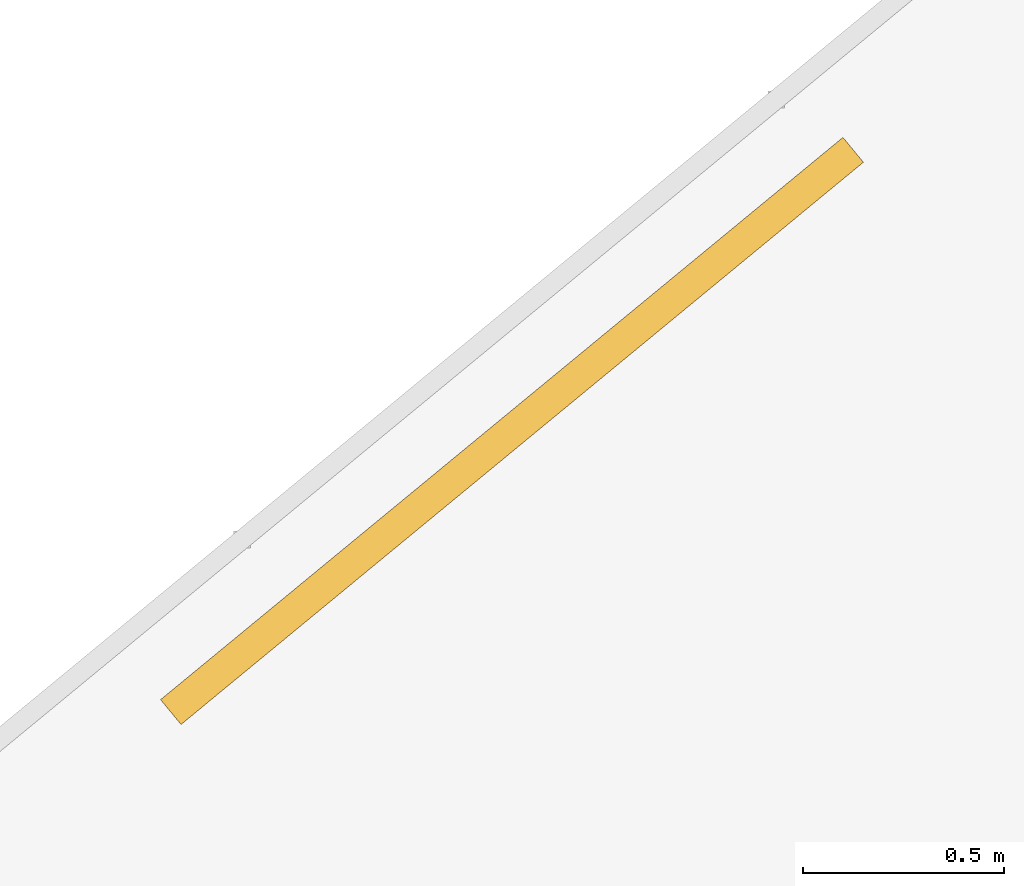
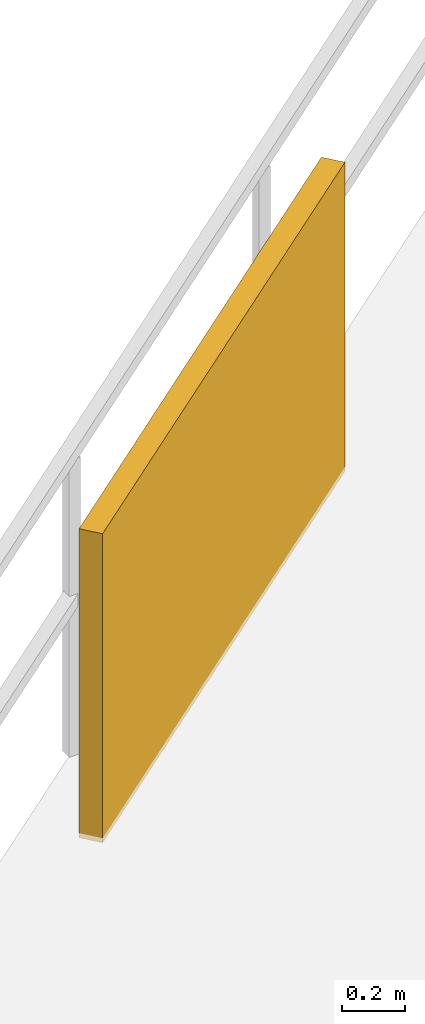
# One storey, part 29 of 30: 1 shading device.
"""IFC4 building model written with IfcOpenShell, lengths in metres."""

from ifc_helpers import new_model, si_unit, direction, frame, origin, origin_2d, place, context, subcontext, project, spatial, rectangle, extrude, material, type_object, element, save


model = new_model("IFC4")

# Units and contexts
model_context = context("Model", 3, precision=1e-05, world=origin(), true_north=direction((0.0, 1.0)))
body_context = subcontext(model_context, "Body", "Model", "MODEL_VIEW")
ifc_project = project(units=[si_unit("LENGTHUNIT", "METRE"), si_unit("AREAUNIT", "SQUARE_METRE"), si_unit("VOLUMEUNIT", "CUBIC_METRE"), si_unit("PLANEANGLEUNIT", "RADIAN"), si_unit("MASSUNIT", "GRAM", prefix="KILO")], contexts=[model_context])

# Site, building, storey
site_placement = place(None, origin())
site = spatial("IfcSite", under=ifc_project, at=site_placement, CompositionType="ELEMENT")
building_placement = place(site_placement, origin())
building = spatial("IfcBuilding", under=site, at=building_placement, Name="Vorneva Point Tower", CompositionType="ELEMENT")
storey_placement = place(building_placement, frame((0.0, 0.0, 89.300048828125)))
storey = spatial("IfcBuildingStorey", under=building, at=storey_placement, Name="L23", CompositionType="ELEMENT", Elevation=89.300048828125)

# Shading device
ifc_material = material(Name="Pale anodised aluminium", Category="aluminium")
shading_device_type = type_object("IfcShadingDeviceType", Name="SHD-JAL-1200", PredefinedType="JALOUSIE", material=ifc_material)
shading_device_placement = place(storey_placement, frame((20.155517578125, 43.061767578125, -0.02001953125), z_axis=(0.0, 0.0, 1.0), x_axis=(-0.771779983581, -0.635889657837, 0.0)))
element("IfcShadingDevice", 1, at=shading_device_placement, inside=storey, type_object=shading_device_type, Name="L23 Balcony Vertical-Greenery Planter Screen NW.2", PredefinedType="JALOUSIE", context=body_context, shape_type="SweptSolid", body=[
    extrude(rectangle(XDim=2.199951171875, YDim=0.080078125, at=origin_2d()), origin(), (0.0, 0.0, 1.0), 1.199951171875),
])

save(model, "model.ifc")
